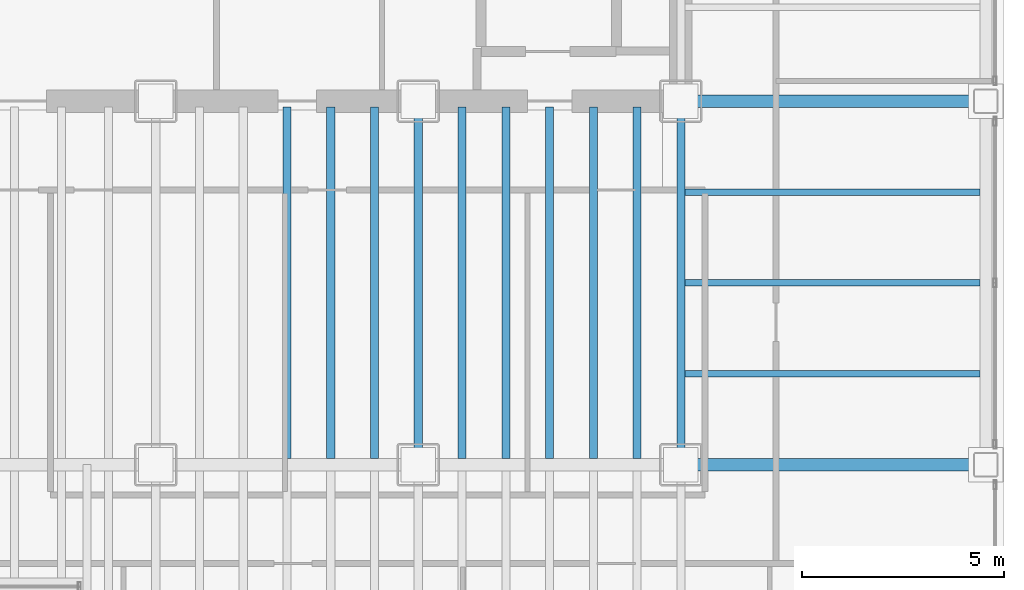
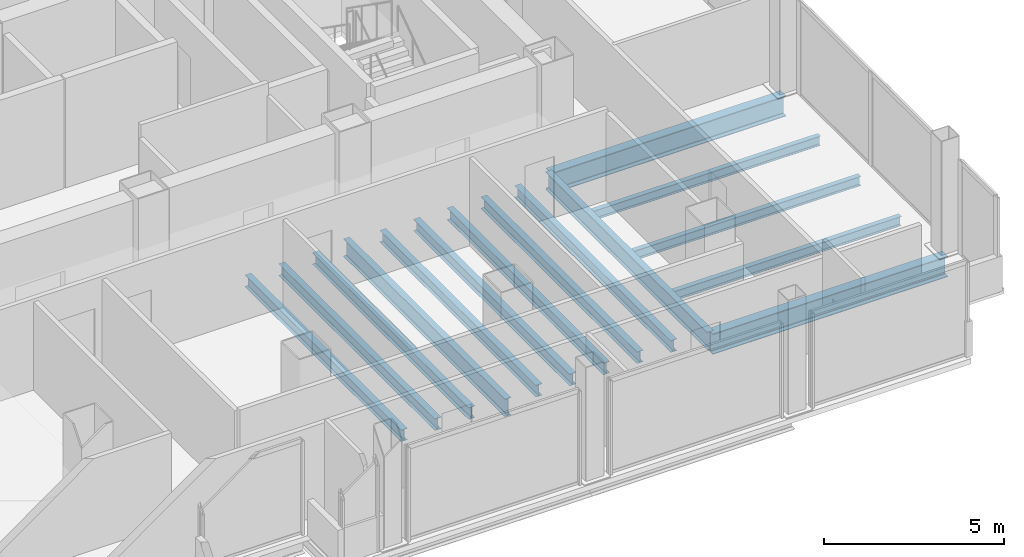
# One storey, part 10 of 21: 15 beams.
"""IFC4 building model written with IfcOpenShell, lengths in metres."""

from ifc_helpers import new_model, si_unit, direction, frame, origin, origin_2d, place, context, subcontext, project, spatial, i_section, extrude, material, material_profile, profile_set, type_object, element, save


model = new_model("IFC4")

# Units and contexts
model_context = context("Model", 3, precision=1e-05, world=origin(), true_north=direction((0.0, 1.0)))
body_context = subcontext(model_context, "Body", "Model", "MODEL_VIEW")
ifc_project = project(units=[si_unit("LENGTHUNIT", "METRE"), si_unit("AREAUNIT", "SQUARE_METRE"), si_unit("VOLUMEUNIT", "CUBIC_METRE"), si_unit("PLANEANGLEUNIT", "RADIAN"), si_unit("MASSUNIT", "GRAM", prefix="KILO")], contexts=[model_context])

# Site, building, storey
site_placement = place(None, origin())
site = spatial("IfcSite", under=ifc_project, at=site_placement, CompositionType="ELEMENT")
building_placement = place(site_placement, origin())
building = spatial("IfcBuilding", under=site, at=building_placement, Name="Noeulbin Bourse Tower", CompositionType="ELEMENT")
storey_placement = place(building_placement, frame((0.0, 0.0, 42.10009765625)))
storey = spatial("IfcBuildingStorey", under=building, at=storey_placement, Name="L10", CompositionType="ELEMENT", Elevation=42.10009765625)

# Beams
ifc_material = material(Name="Steel S355", Category="steel")
ifc_material_profile_1 = material_profile(ifc_material, i_section(OverallWidth=0.199951171875, OverallDepth=0.60009765625, WebThickness=0.010986328125, FlangeThickness=0.01708984375, FilletRadius=0.02197265625, at=origin_2d()), Name="H-600x200x11x17", Category="LoadBearing")
ifc_profile_set_1 = profile_set([ifc_material_profile_1], Name="Steel S355")
beam_type_1 = type_object("IfcBeamType", Name="BM-GRD-600", PredefinedType="USERDEFINED", material=ifc_profile_set_1)
for number, where, z_axis, x_axis, name in (
    (1, (37.5, 20.0, -0.47998046875), (0.0, 1.0, 0.0), (-1.0, 0.0, 0.0), "Tower Primary Girder NS L10-4.2"),
    (2, (44.0, 20.0, -0.47998046875), (0.0, 1.0, 0.0), (-1.0, 0.0, 0.0), "Tower Primary Girder NS L10-5.2"),
):
    element("IfcBeam", number, at=place(storey_placement, frame(where, z_axis=z_axis, x_axis=x_axis)), inside=storey, type_object=beam_type_1, Name=name, ObjectType="GIRDER", PredefinedType="USERDEFINED", context=body_context, shape_type="SweptSolid", body=[
        extrude(i_section(OverallWidth=0.199951171875, OverallDepth=0.60009765625, WebThickness=0.010986328125, FlangeThickness=0.01708984375, FilletRadius=0.02197265625, at=origin_2d()), origin(), (0.0, 0.0, 1.0), 9.0),
    ])
ifc_material_profile_2 = material_profile(ifc_material, i_section(OverallWidth=0.300048828125, OverallDepth=0.699951171875, WebThickness=0.012939453125, FlangeThickness=0.02392578125, FilletRadius=0.02392578125, at=origin_2d()), Name="H-700x300x13x24", Category="LoadBearing")
ifc_profile_set_2 = profile_set([ifc_material_profile_2], Name="Steel S355")
beam_type_2 = type_object("IfcBeamType", Name="BM-GRD-700", PredefinedType="USERDEFINED", material=ifc_profile_set_2)
for number, where, z_axis, x_axis, name in (
    (3, (44.0, 20.0, -0.530029296875), (1.0, 0.0, 0.0), (0.0, 1.0, 0.0), "Tower Primary Girder EW L10-1.6"),
    (4, (44.0, 29.0, -0.530029296875), (1.0, 0.0, 0.0), (0.0, 1.0, 0.0), "Tower Primary Girder EW L10-2.6"),
):
    element("IfcBeam", number, at=place(storey_placement, frame(where, z_axis=z_axis, x_axis=x_axis)), inside=storey, type_object=beam_type_2, Name=name, ObjectType="GIRDER", PredefinedType="USERDEFINED", context=body_context, shape_type="SweptSolid", body=[
        extrude(i_section(OverallWidth=0.300048828125, OverallDepth=0.699951171875, WebThickness=0.012939453125, FlangeThickness=0.02392578125, FilletRadius=0.02392578125, at=origin_2d()), origin(), (0.0, 0.0, 1.0), 7.550048828125),
    ])
ifc_material_profile_3 = material_profile(ifc_material, i_section(OverallWidth=0.159912109375, OverallDepth=0.320068359375, WebThickness=0.006591796875, FlangeThickness=0.010009765625, FilletRadius=0.012939453125, at=origin_2d()), Name="H-320x160x6.5x10", Category="LoadBearing")
ifc_profile_set_3 = profile_set([ifc_material_profile_3], Name="Steel S355")
beam_type_3 = type_object("IfcBeamType", Name="BM-JST-320", PredefinedType="JOIST", material=ifc_profile_set_3)
for number, where, z_axis, x_axis, name in (
    (5, (44.10009765625, 22.25, -0.340087890625), (1.0, 0.0, 0.0), (0.0, 1.0, 0.0), "Wing Composite Joist L10-E76"),
    (6, (44.10009765625, 24.5, -0.340087890625), (1.0, 0.0, 0.0), (0.0, 1.0, 0.0), "Wing Composite Joist L10-E77"),
    (7, (44.10009765625, 26.75, -0.340087890625), (1.0, 0.0, 0.0), (0.0, 1.0, 0.0), "Wing Composite Joist L10-E78"),
):
    element("IfcBeam", number, at=place(storey_placement, frame(where, z_axis=z_axis, x_axis=x_axis)), inside=storey, type_object=beam_type_3, Name=name, PredefinedType="JOIST", context=body_context, shape_type="SweptSolid", body=[
        extrude(i_section(OverallWidth=0.159912109375, OverallDepth=0.320068359375, WebThickness=0.006591796875, FlangeThickness=0.010009765625, FilletRadius=0.012939453125, at=origin_2d()), origin(), (0.0, 0.0, 1.0), 7.2998046875),
    ])
ifc_material_profile_4 = material_profile(ifc_material, i_section(OverallWidth=0.199951171875, OverallDepth=0.39990234375, WebThickness=0.008056640625, FlangeThickness=0.012939453125, FilletRadius=0.01611328125, at=origin_2d()), Name="H-400x200x8x13", Category="LoadBearing")
ifc_profile_set_4 = profile_set([ifc_material_profile_4], Name="Steel S355")
beam_type_4 = type_object("IfcBeamType", Name="BM-SEC-400", PredefinedType="BEAM", material=ifc_profile_set_4)
for number, where, z_axis, x_axis, name in (
    (8, (34.25, 20.14990234375, -0.380126953125), (0.0, 1.0, 0.0), (-1.0, 0.0, 0.0), "Tower Composite Joist L10-47"),
    (9, (35.333251953125, 20.14990234375, -0.380126953125), (0.0, 1.0, 0.0), (-1.0, 0.0, 0.0), "Tower Composite Joist L10-50"),
    (10, (36.416748046875, 20.14990234375, -0.380126953125), (0.0, 1.0, 0.0), (-1.0, 0.0, 0.0), "Tower Composite Joist L10-53"),
    (11, (38.583251953125, 20.14990234375, -0.380126953125), (0.0, 1.0, 0.0), (-1.0, 0.0, 0.0), "Tower Composite Joist L10-56"),
    (12, (39.666748046875, 20.14990234375, -0.380126953125), (0.0, 1.0, 0.0), (-1.0, 0.0, 0.0), "Tower Composite Joist L10-59"),
    (13, (40.75, 20.14990234375, -0.380126953125), (0.0, 1.0, 0.0), (-1.0, 0.0, 0.0), "Tower Composite Joist L10-62"),
    (14, (41.833251953125, 20.14990234375, -0.380126953125), (0.0, 1.0, 0.0), (-1.0, 0.0, 0.0), "Tower Composite Joist L10-65"),
    (15, (42.916748046875, 20.14990234375, -0.380126953125), (0.0, 1.0, 0.0), (-1.0, 0.0, 0.0), "Tower Composite Joist L10-68"),
):
    element("IfcBeam", number, at=place(storey_placement, frame(where, z_axis=z_axis, x_axis=x_axis)), inside=storey, type_object=beam_type_4, Name=name, PredefinedType="BEAM", context=body_context, shape_type="SweptSolid", body=[
        extrude(i_section(OverallWidth=0.199951171875, OverallDepth=0.39990234375, WebThickness=0.008056640625, FlangeThickness=0.012939453125, FilletRadius=0.01611328125, at=origin_2d()), origin(), (0.0, 0.0, 1.0), 8.7001953125),
    ])

save(model, "model.ifc")
